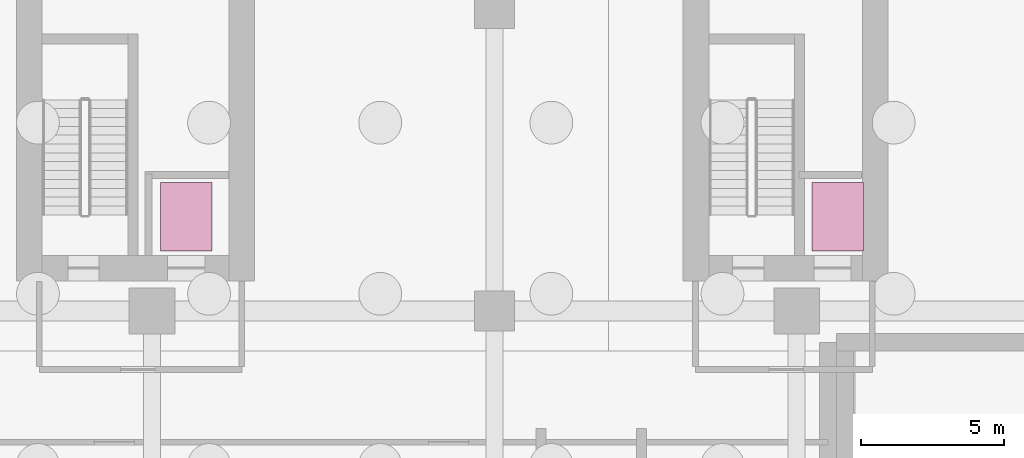
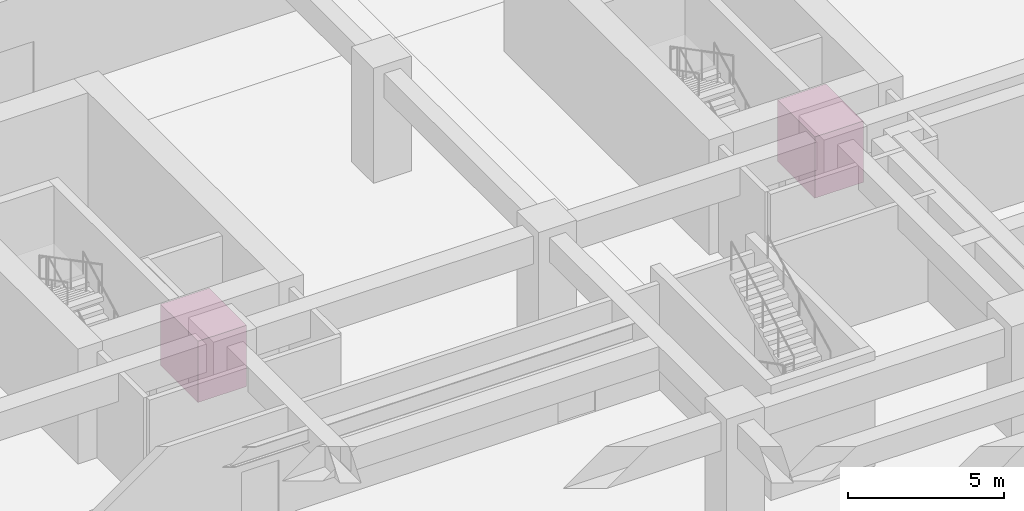
# One storey, part 14 of 14: 2 transport elements.
"""IFC4 building model written with IfcOpenShell, lengths in metres."""

from ifc_helpers import new_model, si_unit, direction, frame, origin, origin_2d, place, context, subcontext, project, spatial, rectangle, extrude, source, transform, mapped, material, type_object, element, save


model = new_model("IFC4")

# Units and contexts
model_context = context("Model", 3, precision=1e-05, world=origin(), true_north=direction((0.0, 1.0)))
body_context = subcontext(model_context, "Body", "Model", "MODEL_VIEW")
ifc_project = project(units=[si_unit("LENGTHUNIT", "METRE"), si_unit("AREAUNIT", "SQUARE_METRE"), si_unit("VOLUMEUNIT", "CUBIC_METRE"), si_unit("PLANEANGLEUNIT", "RADIAN"), si_unit("MASSUNIT", "GRAM", prefix="KILO")], contexts=[model_context])

# Site, building, storey
site_placement = place(None, origin())
site = spatial("IfcSite", under=ifc_project, at=site_placement, CompositionType="ELEMENT")
building_placement = place(site_placement, origin())
building = spatial("IfcBuilding", under=site, at=building_placement, Name="Khoralis Quay Care Tower", CompositionType="ELEMENT")
storey_placement = place(building_placement, frame((0.0, 0.0, -4.5)))
storey = spatial("IfcBuildingStorey", under=building, at=storey_placement, Name="B1", CompositionType="ELEMENT", Elevation=-4.5)

# Transport elements
ifc_material = material(Name="Brushed stainless steel", Category="steel")
transport_element_type = type_object("IfcTransportElementType", Name="LFT-FF-1800X2400", PredefinedType="ELEVATOR", material=ifc_material)
shared_shape = source(origin(), body_context, "Body", "SweptSolid", [
    extrude(rectangle(XDim=1.800048828125, YDim=2.39990234375, at=origin_2d()), origin(), (0.0, 0.0, 1.0), 2.39990234375),
])
for number, where, z_axis, x_axis, name in (
    (1, (13.199951171875, 16.699951171875, 0.0), (0.0, 0.0, 1.0), (1.0, 0.0, 0.0), "Elevator Car FFL-1"),
    (2, (36.0400390625, 16.699951171875, 0.0), (0.0, 0.0, 1.0), (1.0, 0.0, 0.0), "Elevator Car FFL-2"),
):
    element("IfcTransportElement", number, at=place(storey_placement, frame(where, z_axis=z_axis, x_axis=x_axis)), inside=storey, type_object=transport_element_type, Name=name, PredefinedType="ELEVATOR", context=body_context, shape_type="MappedRepresentation", body=[
        mapped(shared_shape, transform((0.0, 0.0, 0.0), scale=1.0)),
    ])

save(model, "model.ifc")
